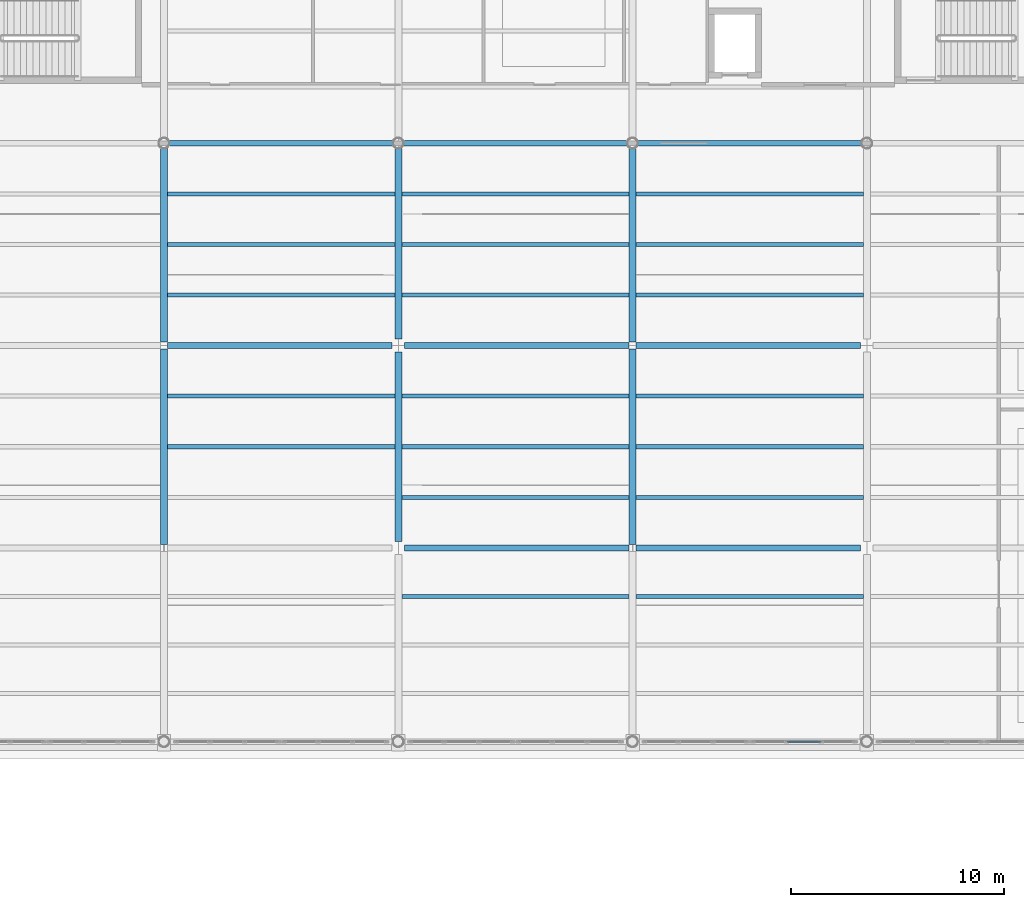
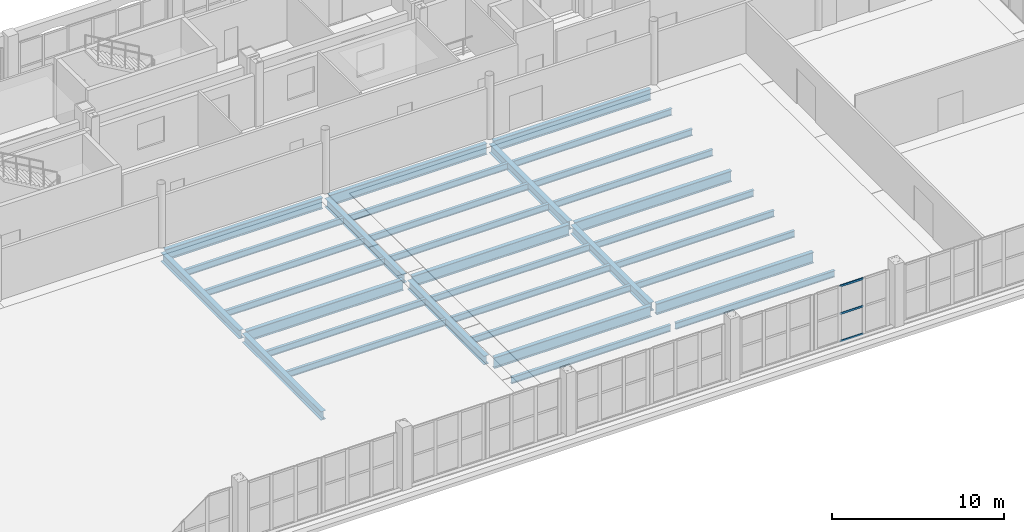
# One storey, part 29 of 156: 33 beams, 3 members, 1 element without a shape of its own.
"""IFC4 building model written with IfcOpenShell, lengths in metres."""

from ifc_helpers import new_model, si_unit, direction, frame, origin, origin_2d, place, context, subcontext, project, spatial, hollow_rectangle, i_section, extrude, material, material_profile, profile_set, type_object, element, aggregate, save


model = new_model("IFC4")

# Units and contexts
model_context = context("Model", 3, precision=1e-05, world=origin(), true_north=direction((0.0, 1.0)))
body_context = subcontext(model_context, "Body", "Model", "MODEL_VIEW")
ifc_project = project(units=[si_unit("LENGTHUNIT", "METRE"), si_unit("AREAUNIT", "SQUARE_METRE"), si_unit("VOLUMEUNIT", "CUBIC_METRE"), si_unit("PLANEANGLEUNIT", "RADIAN"), si_unit("MASSUNIT", "GRAM", prefix="KILO")], contexts=[model_context])

# Site, building, storey
site_placement = place(None, origin())
site = spatial("IfcSite", under=ifc_project, at=site_placement, CompositionType="ELEMENT")
building_placement = place(site_placement, origin())
building = spatial("IfcBuilding", under=site, at=building_placement, Name="Caurita Quay Ferry Terminal", CompositionType="ELEMENT")
storey_placement = place(building_placement, frame((0.0, 0.0, 5.39990234375)))
storey = spatial("IfcBuildingStorey", under=building, at=storey_placement, Name="L01", CompositionType="ELEMENT", Elevation=5.39990234375)

# Beams
ifc_material_1 = material(Name="Structural steel ASTM A992 Gr. 50", Category="steel")
ifc_material_profile_1 = material_profile(ifc_material_1, i_section(OverallWidth=0.3251953125, OverallDepth=0.612060546875, WebThickness=0.0126953125, FlangeThickness=0.01904296875, FilletRadius=0.01513671875, at=origin_2d()), Name="W24X104")
ifc_profile_set_1 = profile_set([ifc_material_profile_1], Name="Structural steel ASTM A992 Gr. 50")
beam_type_1 = type_object("IfcBeamType", Name="BM-GR-W24A", PredefinedType="BEAM", material=ifc_profile_set_1)
beam_1_placement = place(storey_placement, frame((33.0, 43.86962890625, -0.60595703125), z_axis=(0.0, 1.0, 0.0), x_axis=(-1.0, 0.0, 0.0)))
element("IfcBeam", 1, at=beam_1_placement, inside=storey, type_object=beam_type_1, Name="L01 Beam BM-V1-L01-Y-330-439", PredefinedType="BEAM", context=body_context, shape_type="SweptSolid", body=[
    extrude(i_section(OverallWidth=0.3251953125, OverallDepth=0.612060546875, WebThickness=0.0126953125, FlangeThickness=0.01904296875, FilletRadius=0.01513671875, at=origin_2d()), origin(), (0.0, 0.0, 1.0), 9.160888671875),
])
beam_2_placement = place(storey_placement, frame((33.0, 53.36962890625, -0.60595703125), z_axis=(0.0, 1.0, 0.0), x_axis=(-1.0, 0.0, 0.0)))
element("IfcBeam", 2, at=beam_2_placement, inside=storey, type_object=beam_type_1, Name="L01 Beam BM-V1-L01-Y-330-534", PredefinedType="BEAM", context=body_context, shape_type="SweptSolid", body=[
    extrude(i_section(OverallWidth=0.3251953125, OverallDepth=0.612060546875, WebThickness=0.0126953125, FlangeThickness=0.01904296875, FilletRadius=0.01513671875, at=origin_2d()), origin(), (0.0, 0.0, 1.0), 9.114501953125),
])
beam_3_placement = place(storey_placement, frame((44.0, 43.99755859375, -0.60595703125), z_axis=(0.0, 1.0, 0.0), x_axis=(-1.0, 0.0, 0.0)))
element("IfcBeam", 3, at=beam_3_placement, inside=storey, type_object=beam_type_1, Name="L01 Beam BM-V1-L01-Y-440-440", PredefinedType="BEAM", context=body_context, shape_type="SweptSolid", body=[
    extrude(i_section(OverallWidth=0.3251953125, OverallDepth=0.612060546875, WebThickness=0.0126953125, FlangeThickness=0.01904296875, FilletRadius=0.01513671875, at=origin_2d()), origin(), (0.0, 0.0, 1.0), 8.905029296875),
])
beam_4_placement = place(storey_placement, frame((44.0, 53.49755859375, -0.60595703125), z_axis=(0.0, 1.0, 0.0), x_axis=(-1.0, 0.0, 0.0)))
element("IfcBeam", 4, at=beam_4_placement, inside=storey, type_object=beam_type_1, Name="L01 Beam BM-V1-L01-Y-440-535", PredefinedType="BEAM", context=body_context, shape_type="SweptSolid", body=[
    extrude(i_section(OverallWidth=0.3251953125, OverallDepth=0.612060546875, WebThickness=0.0126953125, FlangeThickness=0.01904296875, FilletRadius=0.01513671875, at=origin_2d()), origin(), (0.0, 0.0, 1.0), 8.986572265625),
])
beam_5_placement = place(storey_placement, frame((55.0, 43.86962890625, -0.60595703125), z_axis=(0.0, 1.0, 0.0), x_axis=(-1.0, 0.0, 0.0)))
element("IfcBeam", 5, at=beam_5_placement, inside=storey, type_object=beam_type_1, Name="L01 Beam BM-V1-L01-Y-550-439", PredefinedType="BEAM", context=body_context, shape_type="SweptSolid", body=[
    extrude(i_section(OverallWidth=0.3251953125, OverallDepth=0.612060546875, WebThickness=0.0126953125, FlangeThickness=0.01904296875, FilletRadius=0.01513671875, at=origin_2d()), origin(), (0.0, 0.0, 1.0), 9.160888671875),
])
beam_6_placement = place(storey_placement, frame((55.0, 53.36962890625, -0.60595703125), z_axis=(0.0, 1.0, 0.0), x_axis=(-1.0, 0.0, 0.0)))
element("IfcBeam", 6, at=beam_6_placement, inside=storey, type_object=beam_type_1, Name="L01 Beam BM-V1-L01-Y-550-534", PredefinedType="BEAM", context=body_context, shape_type="SweptSolid", body=[
    extrude(i_section(OverallWidth=0.3251953125, OverallDepth=0.612060546875, WebThickness=0.0126953125, FlangeThickness=0.01904296875, FilletRadius=0.01513671875, at=origin_2d()), origin(), (0.0, 0.0, 1.0), 9.114501953125),
])
ifc_material_profile_2 = material_profile(ifc_material_1, i_section(OverallWidth=0.2666015625, OverallDepth=0.77978515625, WebThickness=0.0166015625, FlangeThickness=0.030029296875, FilletRadius=0.01904296875, at=origin_2d()), Name="W30X148")
ifc_profile_set_2 = profile_set([ifc_material_profile_2], Name="Structural steel ASTM A992 Gr. 50")
beam_type_2 = type_object("IfcBeamType", Name="BM-GR-W30A", PredefinedType="BEAM", material=ifc_profile_set_2)
for number, where, z_axis, x_axis, name in (
    (7, (44.297607421875, 43.699951171875, -0.689697265625), (1.0, 0.0, 0.0), (0.0, 1.0, 0.0), "L01 Beam BM-V1-L01-X-443-437"),
    (8, (55.17041015625, 43.699951171875, -0.689697265625), (1.0, 0.0, 0.0), (0.0, 1.0, 0.0), "L01 Beam BM-V1-L01-X-552-437"),
    (9, (33.17041015625, 53.199951171875, -0.689697265625), (1.0, 0.0, 0.0), (0.0, 1.0, 0.0), "L01 Beam BM-V1-L01-X-332-532"),
    (10, (44.297607421875, 53.199951171875, -0.689697265625), (1.0, 0.0, 0.0), (0.0, 1.0, 0.0), "L01 Beam BM-V1-L01-X-443-532"),
    (11, (55.17041015625, 53.199951171875, -0.689697265625), (1.0, 0.0, 0.0), (0.0, 1.0, 0.0), "L01 Beam BM-V1-L01-X-552-532"),
):
    element("IfcBeam", number, at=place(storey_placement, frame(where, z_axis=z_axis, x_axis=x_axis)), inside=storey, type_object=beam_type_2, Name=name, PredefinedType="BEAM", context=body_context, shape_type="SweptSolid", body=[
        extrude(i_section(OverallWidth=0.2666015625, OverallDepth=0.77978515625, WebThickness=0.0166015625, FlangeThickness=0.030029296875, FilletRadius=0.01904296875, at=origin_2d()), origin(), (0.0, 0.0, 1.0), 10.531982421875),
    ])
for number, where, z_axis, x_axis, name in (
    (12, (33.2158203125, 62.699951171875, -0.689697265625), (1.0, 0.0, 0.0), (0.0, 1.0, 0.0), "L01 Beam BM-V1-L01-X-332-627"),
    (13, (44.2158203125, 62.699951171875, -0.689697265625), (1.0, 0.0, 0.0), (0.0, 1.0, 0.0), "L01 Beam BM-V1-L01-X-442-627"),
    (14, (55.2158203125, 62.699951171875, -0.689697265625), (1.0, 0.0, 0.0), (0.0, 1.0, 0.0), "L01 Beam BM-V1-L01-X-552-627"),
):
    element("IfcBeam", number, at=place(storey_placement, frame(where, z_axis=z_axis, x_axis=x_axis)), inside=storey, type_object=beam_type_2, Name=name, PredefinedType="BEAM", context=body_context, shape_type="SweptSolid", body=[
        extrude(i_section(OverallWidth=0.2666015625, OverallDepth=0.77978515625, WebThickness=0.0166015625, FlangeThickness=0.030029296875, FilletRadius=0.01904296875, at=origin_2d()), origin(), (0.0, 0.0, 1.0), 10.568359375),
    ])
ifc_material_profile_3 = material_profile(ifc_material_1, i_section(OverallWidth=0.1904296875, OverallDepth=0.457275390625, WebThickness=0.009033203125, FlangeThickness=0.014404296875, FilletRadius=0.0126953125, at=origin_2d()), Name="W18X50")
ifc_profile_set_3 = profile_set([ifc_material_profile_3], Name="Structural steel ASTM A992 Gr. 50")
beam_type_3 = type_object("IfcBeamType", Name="BM-JS-W18B", PredefinedType="JOIST", material=ifc_profile_set_3)
for number, where, z_axis, x_axis, name in (
    (15, (33.16259765625, 48.449951171875, -0.528564453125), (1.0, 0.0, 0.0), (0.0, 1.0, 0.0), "L01 Beam JS-V1-L01-033"),
    (16, (33.16259765625, 50.824951171875, -0.528564453125), (1.0, 0.0, 0.0), (0.0, 1.0, 0.0), "L01 Beam JS-V1-L01-034"),
    (17, (33.16259765625, 55.574951171875, -0.528564453125), (1.0, 0.0, 0.0), (0.0, 1.0, 0.0), "L01 Beam JS-V1-L01-035"),
    (18, (33.16259765625, 57.949951171875, -0.528564453125), (1.0, 0.0, 0.0), (0.0, 1.0, 0.0), "L01 Beam JS-V1-L01-036"),
    (19, (33.16259765625, 60.324951171875, -0.528564453125), (1.0, 0.0, 0.0), (0.0, 1.0, 0.0), "L01 Beam JS-V1-L01-037"),
    (20, (44.16259765625, 41.425048828125, -0.528564453125), (1.0, 0.0, 0.0), (0.0, 1.0, 0.0), "L01 Beam JS-V1-L01-042"),
    (21, (44.16259765625, 46.074951171875, -0.528564453125), (1.0, 0.0, 0.0), (0.0, 1.0, 0.0), "L01 Beam JS-V1-L01-043"),
    (22, (44.16259765625, 48.449951171875, -0.528564453125), (1.0, 0.0, 0.0), (0.0, 1.0, 0.0), "L01 Beam JS-V1-L01-044"),
    (23, (44.16259765625, 50.824951171875, -0.528564453125), (1.0, 0.0, 0.0), (0.0, 1.0, 0.0), "L01 Beam JS-V1-L01-045"),
    (24, (44.16259765625, 55.574951171875, -0.528564453125), (1.0, 0.0, 0.0), (0.0, 1.0, 0.0), "L01 Beam JS-V1-L01-046"),
    (25, (44.16259765625, 57.949951171875, -0.528564453125), (1.0, 0.0, 0.0), (0.0, 1.0, 0.0), "L01 Beam JS-V1-L01-047"),
    (26, (44.16259765625, 60.324951171875, -0.528564453125), (1.0, 0.0, 0.0), (0.0, 1.0, 0.0), "L01 Beam JS-V1-L01-048"),
    (27, (55.16259765625, 41.425048828125, -0.528564453125), (1.0, 0.0, 0.0), (0.0, 1.0, 0.0), "L01 Beam JS-V1-L01-053"),
    (28, (55.16259765625, 46.074951171875, -0.528564453125), (1.0, 0.0, 0.0), (0.0, 1.0, 0.0), "L01 Beam JS-V1-L01-054"),
    (29, (55.16259765625, 48.449951171875, -0.528564453125), (1.0, 0.0, 0.0), (0.0, 1.0, 0.0), "L01 Beam JS-V1-L01-055"),
    (30, (55.16259765625, 50.824951171875, -0.528564453125), (1.0, 0.0, 0.0), (0.0, 1.0, 0.0), "L01 Beam JS-V1-L01-056"),
    (31, (55.16259765625, 55.574951171875, -0.528564453125), (1.0, 0.0, 0.0), (0.0, 1.0, 0.0), "L01 Beam JS-V1-L01-057"),
    (32, (55.16259765625, 57.949951171875, -0.528564453125), (1.0, 0.0, 0.0), (0.0, 1.0, 0.0), "L01 Beam JS-V1-L01-058"),
    (33, (55.16259765625, 60.324951171875, -0.528564453125), (1.0, 0.0, 0.0), (0.0, 1.0, 0.0), "L01 Beam JS-V1-L01-059"),
):
    element("IfcBeam", number, at=place(storey_placement, frame(where, z_axis=z_axis, x_axis=x_axis)), inside=storey, type_object=beam_type_3, Name=name, PredefinedType="JOIST", context=body_context, shape_type="SweptSolid", body=[
        extrude(i_section(OverallWidth=0.1904296875, OverallDepth=0.457275390625, WebThickness=0.009033203125, FlangeThickness=0.014404296875, FilletRadius=0.0126953125, at=origin_2d()), origin(), (0.0, 0.0, 1.0), 10.6748046875),
    ])

# Curtain wall, members
ifc_material_2 = material(Name="Laminated solar-control insulated glass", Category="glass")
curtain_wall_type = type_object("IfcCurtainWallType", Name="CW-SYS-08", PredefinedType="NOTDEFINED", material=ifc_material_2)
curtain_wall_placement = place(storey_placement, origin())
curtain_wall = element("IfcCurtainWall", 34, at=curtain_wall_placement, inside=storey, type_object=curtain_wall_type, Name="V1 Waterside Concourse Curtain Wall 060", PredefinedType="NOTDEFINED")
ifc_material_3 = material(Name="Anodized aluminium 6063-T6", Category="aluminium")
ifc_material_profile_4 = material_profile(ifc_material_3, hollow_rectangle(XDim=0.06494140625, YDim=0.135009765625, WallThickness=0.00341796875, at=origin_2d()), Name="ALU-TRN-65X135")
ifc_profile_set_4 = profile_set([ifc_material_profile_4], Name="Anodized aluminium 6063-T6")
member_type = type_object("IfcMemberType", Name="CW-TRN-135", PredefinedType="USERDEFINED", material=ifc_profile_set_4)
member_1_placement = place(storey_placement, frame((62.26220703125, 34.60009765625, 0.03271484375), z_axis=(1.0, 0.0, 0.0), x_axis=(0.0, 1.0, 0.0)))
member_1 = element("IfcMember", 35, at=member_1_placement, type_object=member_type, Name="CW-SEA-060 Transom 4", ObjectType="TRANSOM", PredefinedType="USERDEFINED", context=body_context, shape_type="SweptSolid", body=[
    extrude(hollow_rectangle(XDim=0.06494140625, YDim=0.135009765625, WallThickness=0.00341796875, at=origin_2d()), origin(), (0.0, 0.0, 1.0), 1.5556640625),
])
member_2_placement = place(storey_placement, frame((62.26220703125, 34.60009765625, 1.985107421875), z_axis=(1.0, 0.0, 0.0), x_axis=(0.0, 1.0, 0.0)))
member_2 = element("IfcMember", 36, at=member_2_placement, type_object=member_type, Name="CW-SEA-060 Transom 5", ObjectType="TRANSOM", PredefinedType="USERDEFINED", context=body_context, shape_type="SweptSolid", body=[
    extrude(hollow_rectangle(XDim=0.06494140625, YDim=0.135009765625, WallThickness=0.00341796875, at=origin_2d()), origin(), (0.0, 0.0, 1.0), 1.5556640625),
])
member_3_placement = place(storey_placement, frame((62.26220703125, 34.60009765625, 3.9375), z_axis=(1.0, 0.0, 0.0), x_axis=(0.0, 1.0, 0.0)))
member_3 = element("IfcMember", 37, at=member_3_placement, type_object=member_type, Name="CW-SEA-060 Transom 6", ObjectType="TRANSOM", PredefinedType="USERDEFINED", context=body_context, shape_type="SweptSolid", body=[
    extrude(hollow_rectangle(XDim=0.06494140625, YDim=0.135009765625, WallThickness=0.00341796875, at=origin_2d()), origin(), (0.0, 0.0, 1.0), 1.5556640625),
])
aggregate(curtain_wall, [member_1, member_2, member_3])

save(model, "model.ifc")
